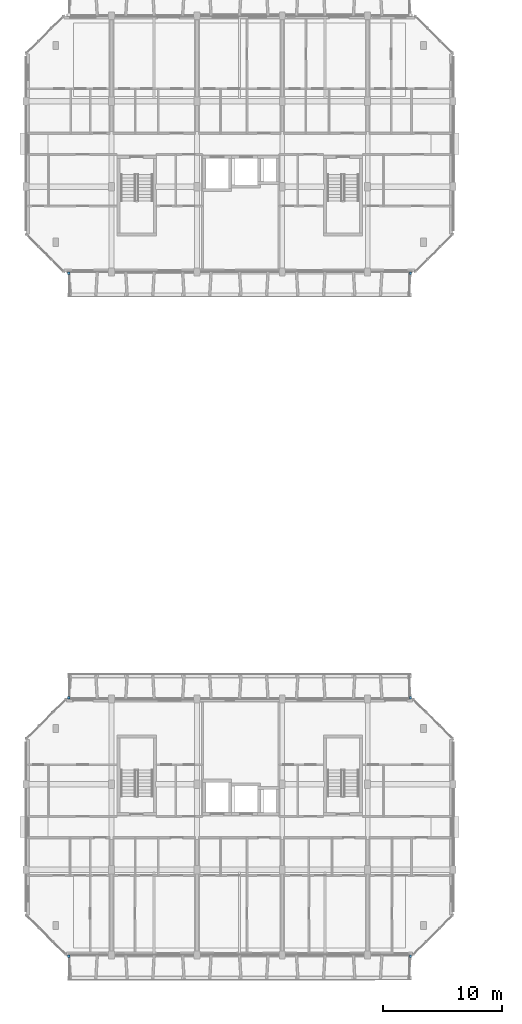
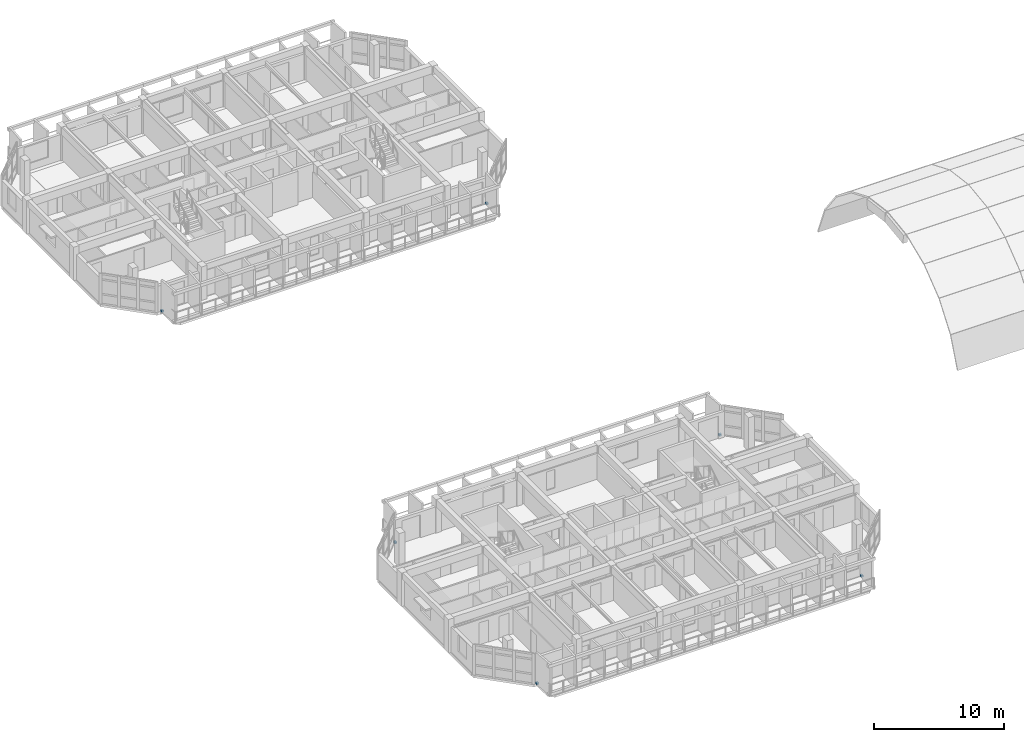
# One storey, part 37 of 51: 6 discrete accessories.
"""IFC4 building model written with IfcOpenShell, lengths in metres."""

from ifc_helpers import new_model, si_unit, direction, frame, origin, origin_2d, place, context, subcontext, project, spatial, rectangle, extrude, material, type_object, element, save


model = new_model("IFC4")

# Units and contexts
model_context = context("Model", 3, precision=1e-05, world=origin(), true_north=direction((0.0, 1.0)))
body_context = subcontext(model_context, "Body", "Model", "MODEL_VIEW")
ifc_project = project(units=[si_unit("LENGTHUNIT", "METRE"), si_unit("AREAUNIT", "SQUARE_METRE"), si_unit("VOLUMEUNIT", "CUBIC_METRE"), si_unit("PLANEANGLEUNIT", "RADIAN"), si_unit("MASSUNIT", "GRAM", prefix="KILO")], contexts=[model_context])

# Site, building, storey
site_placement = place(None, origin())
site = spatial("IfcSite", under=ifc_project, at=site_placement, CompositionType="ELEMENT")
building_placement = place(site_placement, origin())
building = spatial("IfcBuilding", under=site, at=building_placement, Name="Ochrevale Crest", CompositionType="ELEMENT")
storey_placement = place(building_placement, frame((0.0, 0.0, 11.85009765625)))
storey = spatial("IfcBuildingStorey", under=building, at=storey_placement, Name="L03", CompositionType="ELEMENT", Elevation=11.85009765625)

# Discrete accessories
ifc_material = material(Name="Galvanised steel", Category="steel")
discrete_accessory_type = type_object("IfcDiscreteAccessoryType", Name="ACC-BRK-HC", PredefinedType="BRACKET", material=ifc_material)
for number, where, z_axis, x_axis, name in (
    (1, (3.60009765625, 14.300048828125, 0.0), (0.0, 0.0, 1.0), (1.0, 0.0, 0.0), "Block A L03 precast loggia corbel bracket"),
    (2, (32.39990234375, 14.300048828125, 0.0), (0.0, 0.0, 1.0), (1.0, 0.0, 0.0), "Block A L03 precast loggia corbel bracket"),
    (3, (3.60009765625, 36.10009765625, 0.0), (0.0, 0.0, 1.0), (1.0, 0.0, 0.0), "Block A L03 precast loggia corbel bracket"),
    (4, (32.39990234375, 36.10009765625, 0.0), (0.0, 0.0, 1.0), (1.0, 0.0, 0.0), "Block A L03 precast loggia corbel bracket"),
    (5, (3.60009765625, 71.89990234375, 0.0), (0.0, 0.0, 1.0), (1.0, 0.0, 0.0), "Block B L03 precast loggia corbel bracket"),
    (6, (32.39990234375, 71.89990234375, 0.0), (0.0, 0.0, 1.0), (1.0, 0.0, 0.0), "Block B L03 precast loggia corbel bracket"),
):
    element("IfcDiscreteAccessory", number, at=place(storey_placement, frame(where, z_axis=z_axis, x_axis=x_axis)), inside=storey, type_object=discrete_accessory_type, Name=name, PredefinedType="BRACKET", context=body_context, shape_type="SweptSolid", body=[
        extrude(rectangle(XDim=0.179931640625, YDim=0.219970703125, at=origin_2d()), origin(), (0.0, 0.0, 1.0), 0.179931640625),
    ])

save(model, "model.ifc")
